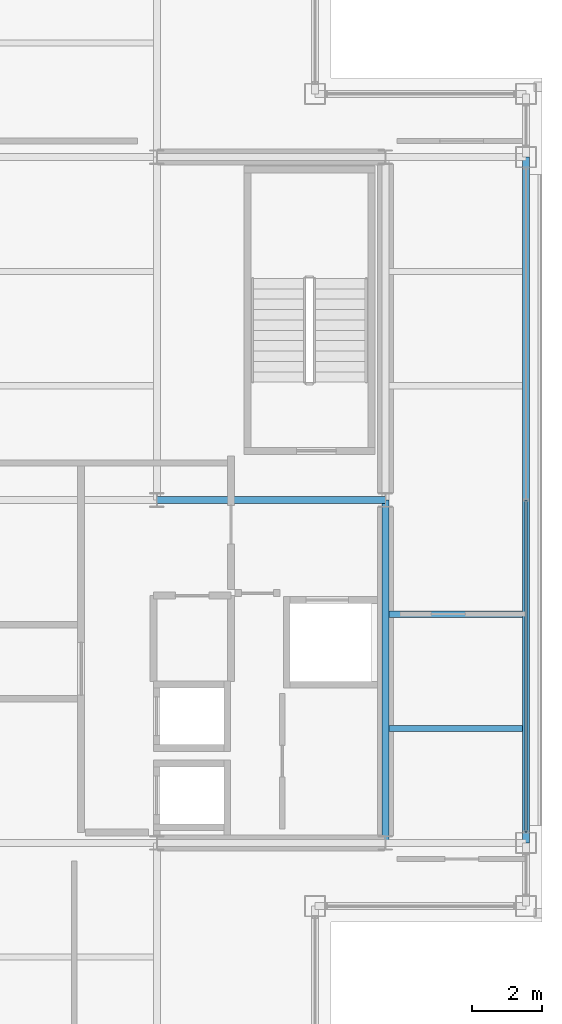
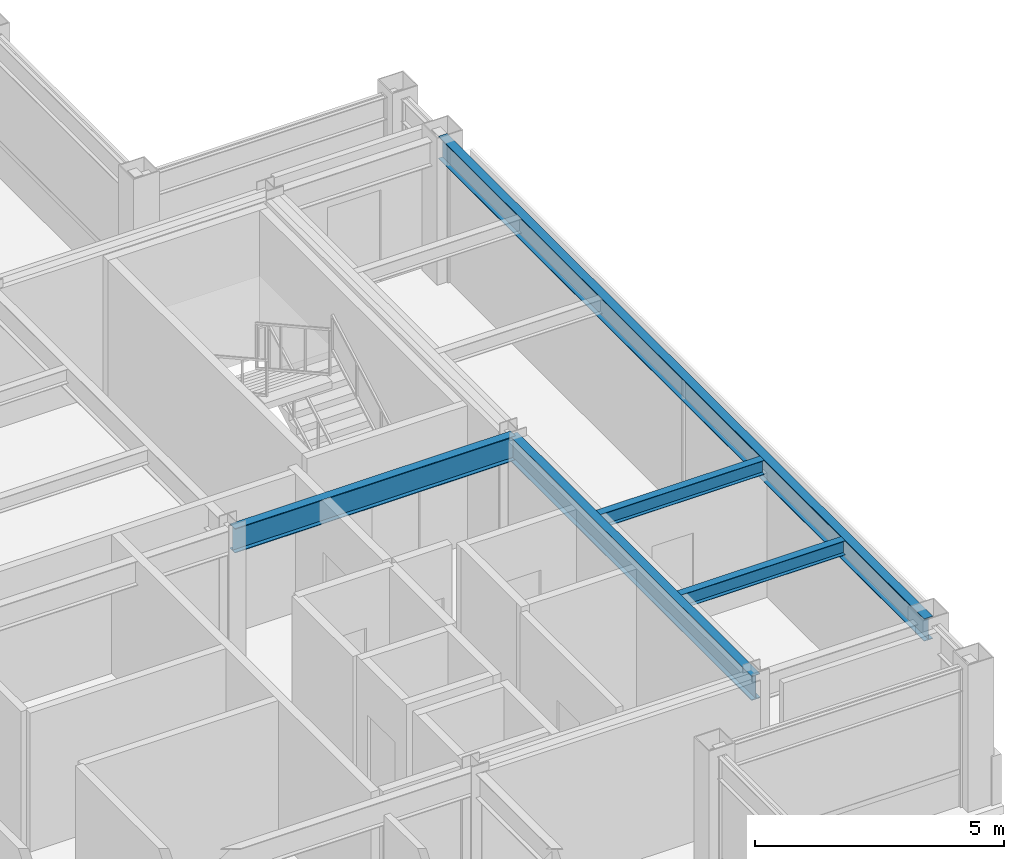
# One storey, part 15 of 27: 5 beams, 1 member, 1 element without a shape of its own.
"""IFC4 building model written with IfcOpenShell, lengths in metres."""

from ifc_helpers import new_model, si_unit, direction, frame, origin, origin_2d, place, context, subcontext, project, spatial, hollow_rectangle, i_section, extrude, material, layer, layer_set, material_profile, profile_set, type_object, element, aggregate, save


model = new_model("IFC4")

# Units and contexts
model_context = context("Model", 3, precision=1e-05, world=origin(), true_north=direction((0.0, 1.0)))
body_context = subcontext(model_context, "Body", "Model", "MODEL_VIEW")
ifc_project = project(units=[si_unit("LENGTHUNIT", "METRE"), si_unit("AREAUNIT", "SQUARE_METRE"), si_unit("VOLUMEUNIT", "CUBIC_METRE"), si_unit("PLANEANGLEUNIT", "RADIAN"), si_unit("MASSUNIT", "GRAM", prefix="KILO")], contexts=[model_context])

# Site, building, storey
site_placement = place(None, origin())
site = spatial("IfcSite", under=ifc_project, at=site_placement, CompositionType="ELEMENT")
building_placement = place(site_placement, origin())
building = spatial("IfcBuilding", under=site, at=building_placement, Name="Brelmoor Portico Tower", CompositionType="ELEMENT")
storey_placement = place(building_placement, frame((0.0, 0.0, 250.800048828125)))
storey = spatial("IfcBuildingStorey", under=building, at=storey_placement, Name="L66", CompositionType="ELEMENT", Elevation=250.800048828125)

# Beams
ifc_material_1 = material(Name="Steel Q355B", Category="steel")
ifc_material_profile_1 = material_profile(ifc_material_1, i_section(OverallWidth=0.175048828125, OverallDepth=0.35009765625, WebThickness=0.007080078125, FlangeThickness=0.010986328125, at=origin_2d()), Name="HN 350x175x7x11")
ifc_profile_set_1 = profile_set([ifc_material_profile_1], Name="Steel Q355B")
beam_type_1 = type_object("IfcBeamType", Name="BM-JS-350", PredefinedType="JOIST", material=ifc_profile_set_1)
for number, where, z_axis, x_axis, name in (
    (1, (14.64990234375, -6.5, 3.224853515625), (1.0, 0.0, 0.0), (0.0, 1.0, 0.0), "L66 Secondary Wing Joist JS-E11"),
    (2, (14.64990234375, -3.25, 3.224853515625), (1.0, 0.0, 0.0), (0.0, 1.0, 0.0), "L66 Secondary Wing Joist JS-E12"),
):
    element("IfcBeam", number, at=place(storey_placement, frame(where, z_axis=z_axis, x_axis=x_axis)), inside=storey, type_object=beam_type_1, Name=name, PredefinedType="JOIST", context=body_context, shape_type="SweptSolid", body=[
        extrude(i_section(OverallWidth=0.175048828125, OverallDepth=0.35009765625, WebThickness=0.007080078125, FlangeThickness=0.010986328125, at=origin_2d()), origin(), (0.0, 0.0, 1.0), 3.800048828125),
    ])
ifc_material_profile_2 = material_profile(ifc_material_1, i_section(OverallWidth=0.199951171875, OverallDepth=0.60009765625, WebThickness=0.010986328125, FlangeThickness=0.01708984375, at=origin_2d()), Name="HN 600x200x11x17")
ifc_profile_set_2 = profile_set([ifc_material_profile_2], Name="Steel Q355B")
beam_type_2 = type_object("IfcBeamType", Name="BM-PG-600", PredefinedType="BEAM", material=ifc_profile_set_2)
beam_1_placement = place(storey_placement, frame((14.550048828125, -9.75, 3.099853515625), z_axis=(0.0, 1.0, 0.0), x_axis=(-1.0, 0.0, 0.0)))
element("IfcBeam", 3, at=beam_1_placement, inside=storey, type_object=beam_type_2, Name="L66 Primary Floor Girder PG-09", PredefinedType="BEAM", context=body_context, shape_type="SweptSolid", body=[
    extrude(i_section(OverallWidth=0.199951171875, OverallDepth=0.60009765625, WebThickness=0.010986328125, FlangeThickness=0.01708984375, at=origin_2d()), origin(), (0.0, 0.0, 1.0), 9.75),
])
beam_2_placement = place(storey_placement, frame((8.050048828125, 0.0, 3.099853515625), z_axis=(1.0, 0.0, 0.0), x_axis=(0.0, 1.0, 0.0)))
element("IfcBeam", 4, at=beam_2_placement, inside=storey, type_object=beam_type_2, Name="L66 Primary Floor Girder PG-18", PredefinedType="BEAM", context=body_context, shape_type="SweptSolid", body=[
    extrude(i_section(OverallWidth=0.199951171875, OverallDepth=0.60009765625, WebThickness=0.010986328125, FlangeThickness=0.01708984375, at=origin_2d()), origin(), (0.0, 0.0, 1.0), 6.5),
])
ifc_material_profile_3 = material_profile(ifc_material_1, i_section(OverallWidth=0.199951171875, OverallDepth=0.550048828125, WebThickness=0.010009765625, FlangeThickness=0.01611328125, at=origin_2d()), Name="HN 550x200x10x16")
ifc_profile_set_3 = profile_set([ifc_material_profile_3], Name="Steel Q355B")
beam_type_3 = type_object("IfcBeamType", Name="BM-SP-550", PredefinedType="SPANDREL", material=ifc_profile_set_3)
beam_3_placement = place(storey_placement, frame((18.550048828125, -9.75, 3.125), z_axis=(0.0, 1.0, 0.0), x_axis=(-1.0, 0.0, 0.0)))
element("IfcBeam", 5, at=beam_3_placement, inside=storey, type_object=beam_type_3, Name="L66 Perimeter Spandrel Beam SP-19", PredefinedType="SPANDREL", context=body_context, shape_type="SweptSolid", body=[
    extrude(i_section(OverallWidth=0.199951171875, OverallDepth=0.550048828125, WebThickness=0.010009765625, FlangeThickness=0.01611328125, at=origin_2d()), origin(), (0.0, 0.0, 1.0), 19.5),
])

# Curtain wall, member
ifc_material_2 = material(Name="Anodised Aluminium Alloy 6063-T6", Category="aluminium")
ifc_layer = layer(ifc_material_2, 0.179931640625)
ifc_layer_set = layer_set([ifc_layer], Name="Anodised Aluminium Alloy 6063-T6")
curtain_wall_type = type_object("IfcCurtainWallType", Name="CW-TOWER-Z4-XB", PredefinedType="NOTDEFINED", material=ifc_layer_set)
curtain_wall_placement = place(storey_placement, origin())
curtain_wall = element("IfcCurtainWall", 6, at=curtain_wall_placement, inside=storey, type_object=curtain_wall_type, Name="L66 Curtain Wall CW-L66-04-2", PredefinedType="NOTDEFINED")
ifc_material_profile_4 = material_profile(ifc_material_2, hollow_rectangle(XDim=0.06005859375, YDim=0.125, WallThickness=0.00341796875, at=origin_2d()), Name="ALU TRANSOM 60x125")
ifc_profile_set_4 = profile_set([ifc_material_profile_4], Name="Anodised Aluminium Alloy 6063-T6")
member_type = type_object("IfcMemberType", Name="MB-CW-TRAN-125", PredefinedType="USERDEFINED", material=ifc_profile_set_4)
member_placement = place(storey_placement, frame((18.550048828125, -9.43994140625, 3.33740234375), z_axis=(0.0, 1.0, 0.0), x_axis=(-1.0, 0.0, 0.0)))
member = element("IfcMember", 7, at=member_placement, type_object=member_type, Name="CW-L66-04-2 Transom 1-00", ObjectType="TRANSOM", PredefinedType="USERDEFINED", context=body_context, shape_type="SweptSolid", body=[
    extrude(hollow_rectangle(XDim=0.06005859375, YDim=0.125, WallThickness=0.00341796875, at=origin_2d()), origin(), (0.0, 0.0, 1.0), 9.43994140625),
])
aggregate(curtain_wall, [member])

save(model, "model.ifc")
